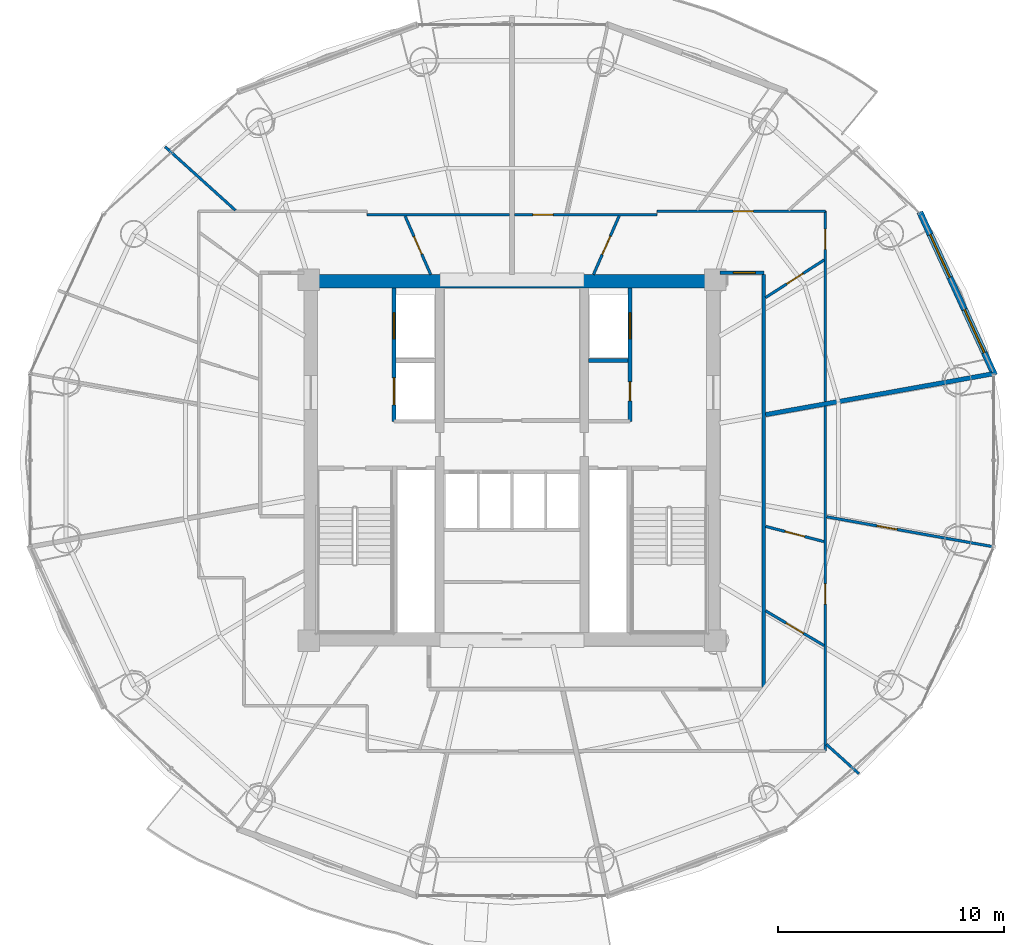
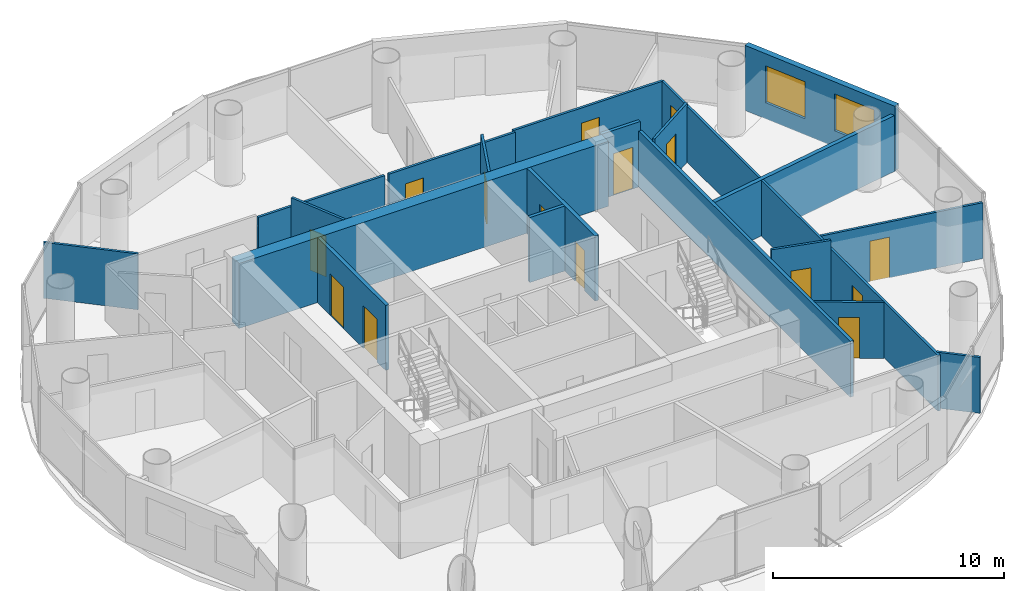
# One storey, part 22 of 27: 21 walls, 15 doors, 2 windows, 17 openings.
"""IFC4 building model written with IfcOpenShell, lengths in metres."""

from ifc_helpers import new_model, si_unit, direction, frame, frame_2d, origin, place, context, subcontext, project, spatial, rectangle, extrude, source, transform, mapped, material, layer, layer_set, type_object, element, fill, save


model = new_model("IFC4")

# Units and contexts
model_context = context("Model", 3, precision=1e-05, world=origin(), true_north=direction((-0.2419218956, 0.970295726276)))
body_context = subcontext(model_context, "Body", "Model", "MODEL_VIEW")
ifc_project = project(units=[si_unit("LENGTHUNIT", "METRE"), si_unit("AREAUNIT", "SQUARE_METRE"), si_unit("VOLUMEUNIT", "CUBIC_METRE"), si_unit("PLANEANGLEUNIT", "RADIAN"), si_unit("MASSUNIT", "GRAM", prefix="KILO")], contexts=[model_context])

# Site, building, storey
site_placement = place(None, origin())
site = spatial("IfcSite", under=ifc_project, at=site_placement, CompositionType="ELEMENT")
building_placement = place(site_placement, origin())
building = spatial("IfcBuilding", under=site, at=building_placement, Name="Cobrevalo Terracotta Tower", CompositionType="ELEMENT")
storey_placement = place(building_placement, frame((0.0, 0.0, 198.60009765625)))
storey = spatial("IfcBuildingStorey", under=building, at=storey_placement, Name="L52", CompositionType="ELEMENT", Elevation=198.60009765625)

# Walls
ifc_material_1 = material(Name="Concrete C55", Category="concrete")
ifc_layer_1 = layer(ifc_material_1, 0.60009765625)
ifc_layer_set_1 = layer_set([ifc_layer_1], Name="Concrete C55")
wall_type_1 = type_object("IfcWallType", Name="Core shear wall 600 mm Concrete C55", PredefinedType="SHEAR", material=ifc_layer_set_1)
wall_1_placement = place(storey_placement, frame((28.77490234375, 34.72509765625, 0.0), z_axis=(0.0, 0.0, 1.0), x_axis=(1.0, 0.0, 0.0)))
element("IfcWall", 1, at=wall_1_placement, inside=storey, type_object=wall_type_1, Name="L52 north core shear wall", PredefinedType="SHEAR", context=body_context, shape_type="SweptSolid", body=[
    extrude(rectangle(XDim=18.4501953125, YDim=0.60009765625, at=frame_2d((9.22509765625, 0.0))), origin(), (0.0, 0.0, 1.0), 3.434814453125),
])
ifc_material_2 = material(Name="Gypsum board on steel stud", Category="steel")
ifc_layer_2 = layer(ifc_material_2, 0.159912109375)
ifc_layer_set_2 = layer_set([ifc_layer_2], Name="Gypsum board on steel stud")
wall_type_2 = type_object("IfcWallType", Name="Fire-rated corridor acoustic partition wall 160 mm", PredefinedType="PARTITIONING", material=ifc_layer_set_2)
wall_2_placement = place(storey_placement, frame((41.389892578125, 31.219970703125, 0.0), z_axis=(0.0, 0.0, 1.0), x_axis=(1.0, 0.0, 0.0)))
element("IfcWall", 2, at=wall_2_placement, inside=storey, type_object=wall_type_2, Name="L52 interior partition IW-L52-FF2-M", PredefinedType="PARTITIONING", context=body_context, shape_type="SweptSolid", body=[
    extrude(rectangle(XDim=1.75, YDim=0.159912109375, at=frame_2d((0.875, 0.0))), origin(), (0.0, 0.0, 1.0), 3.434814453125),
])
wall_3_placement = place(storey_placement, frame((49.155029296875, 16.72509765625, 0.0), z_axis=(0.0, 0.0, 1.0), x_axis=(0.0, 1.0, 0.0)))
element("IfcWall", 3, at=wall_3_placement, inside=storey, type_object=wall_type_2, Name="L52 interior partition IW-L52-COR-E", PredefinedType="PARTITIONING", context=body_context, shape_type="SweptSolid", body=[
    extrude(rectangle(XDim=18.2998046875, YDim=0.159912109375, at=frame_2d((9.14990234375, 0.0))), origin(), (0.0, 0.0, 1.0), 2.950927734375),
])

# Wall, opening, door
wall_4_placement = place(storey_placement, frame((47.22509765625, 35.10498046875, 0.0), z_axis=(0.0, 0.0, 1.0), x_axis=(1.0, 0.0, 0.0)))
wall_4 = element("IfcWall", 4, at=wall_4_placement, inside=storey, type_object=wall_type_2, Name="L52 interior partition IW-L52-COR-EN-CAP", PredefinedType="PARTITIONING", context=body_context, shape_type="SweptSolid", body=[
    extrude(rectangle(XDim=1.929931640625, YDim=0.159912109375, at=frame_2d((0.96484375, 0.0))), origin(), (0.0, 0.0, 1.0), 3.434814453125),
])
opening_1_placement = place(wall_4_placement, frame((0.580078125, 0.0, 0.0)))
opening_1 = element("IfcOpeningElement", 5, at=opening_1_placement, cuts=wall_4, Name="Opening ID-05", PredefinedType="OPENING", context=body_context, shape_type="SweptSolid", body=[
    extrude(rectangle(XDim=0.97998046875, YDim=2.199951171875, at=frame_2d((0.489990234375, 1.10009765625))), frame((0.0, 0.08984375, 0.0), z_axis=(0.0, -1.0, 0.0), x_axis=(1.0, 0.0, 0.0)), (0.0, 0.0, 1.0), 0.179931640625),
])
ifc_material_3 = material(Name="Solid hardwood timber", Category="wood")
door_type_1 = type_object("IfcDoorType", Name="Residence entrance fire-rated acoustic timber door 980x2200 EI 60", OperationType="NOTDEFINED", PredefinedType="DOOR", material=ifc_material_3)
shared_shape_1 = source(origin(), body_context, "Body", "SweptSolid", [
    extrude(rectangle(XDim=0.97998046875, YDim=2.199951171875, at=frame_2d((0.489990234375, 1.10009765625))), frame((0.0, 0.02490234375, 0.0), z_axis=(0.0, -1.0, 0.0), x_axis=(1.0, 0.0, 0.0)), (0.0, 0.0, 1.0), 0.050048828125),
])
door_1_placement = place(opening_1_placement, origin())
door_1 = element("IfcDoor", 6, at=door_1_placement, inside=storey, type_object=door_type_1, Name="Flat L52A fire-rated apartment entrance door", OperationType="SINGLE_SWING_LEFT", OverallHeight=2.199951171875, OverallWidth=0.97998046875, PredefinedType="DOOR", context=body_context, shape_type="MappedRepresentation", body=[
    mapped(shared_shape_1, transform((0.0, 0.0, 0.0), scale=1.0)),
])
fill(opening_1, door_1)

# Wall, openings, doors
ifc_layer_3 = layer(ifc_material_2, 0.179931640625)
ifc_layer_set_3 = layer_set([ifc_layer_3], Name="Gypsum board on steel stud")
wall_type_3 = type_object("IfcWallType", Name="Fire-rated shaft & lobby acoustic partition wall 180 mm", PredefinedType="PARTITIONING", material=ifc_layer_set_3)
wall_5_placement = place(storey_placement, frame((32.77001953125, 28.52001953125, 0.0), z_axis=(0.0, 0.0, 1.0), x_axis=(0.0, 1.0, 0.0)))
wall_5 = element("IfcWall", 7, at=wall_5_placement, inside=storey, type_object=wall_type_3, Name="L52 interior partition IW-L52-FF1-W", PredefinedType="PARTITIONING", context=body_context, shape_type="SweptSolid", body=[
    extrude(rectangle(XDim=5.905029296875, YDim=0.179931640625, at=frame_2d((2.95263671875, 0.0))), origin(), (0.0, 0.0, 1.0), 3.434814453125),
])
opening_2_placement = place(wall_5_placement, frame((3.655029296875, 0.0, 0.0)))
opening_2 = element("IfcOpeningElement", 8, at=opening_2_placement, cuts=wall_5, Name="Opening LD-02", PredefinedType="OPENING", context=body_context, shape_type="SweptSolid", body=[
    extrude(rectangle(XDim=1.14990234375, YDim=2.199951171875, at=frame_2d((0.574951171875, 1.10009765625))), frame((0.0, 0.10009765625, 0.0), z_axis=(0.0, -1.0, 0.0), x_axis=(1.0, 0.0, 0.0)), (0.0, 0.0, 1.0), 0.199951171875),
])
opening_3_placement = place(wall_5_placement, frame((0.72998046875, 0.0, 0.0)))
opening_3 = element("IfcOpeningElement", 9, at=opening_3_placement, cuts=wall_5, Name="Opening LD-03", PredefinedType="OPENING", context=body_context, shape_type="SweptSolid", body=[
    extrude(rectangle(XDim=1.199951171875, YDim=2.25, at=frame_2d((0.60009765625, 1.125))), frame((0.0, 0.10009765625, 0.0), z_axis=(0.0, -1.0, 0.0), x_axis=(1.0, 0.0, 0.0)), (0.0, 0.0, 1.0), 0.199951171875),
])
ifc_material_4 = material(Name="Brushed stainless steel", Category="steel")
door_type_2 = type_object("IfcDoorType", Name="Firefighting lift landing bi-parting sliding door 1150x2200 EI 120", OperationType="DOUBLE_DOOR_SLIDING", PredefinedType="DOOR", material=ifc_material_4)
shared_shape_2 = source(origin(), body_context, "Body", "SweptSolid", [
    extrude(rectangle(XDim=1.14990234375, YDim=2.199951171875, at=frame_2d((0.574951171875, 1.10009765625))), frame((0.0, 0.02490234375, 0.0), z_axis=(0.0, -1.0, 0.0), x_axis=(1.0, 0.0, 0.0)), (0.0, 0.0, 1.0), 0.050048828125),
])
door_2_placement = place(opening_2_placement, origin())
door_2 = element("IfcDoor", 10, at=door_2_placement, inside=storey, type_object=door_type_2, Name="L52 lift landing door FF-1", OperationType="DOUBLE_DOOR_SLIDING", OverallHeight=2.199951171875, OverallWidth=1.14990234375, PredefinedType="DOOR", context=body_context, shape_type="MappedRepresentation", body=[
    mapped(shared_shape_2, transform((0.0, 0.0, 0.0), scale=1.0)),
])
fill(opening_2, door_2)
door_type_3 = type_object("IfcDoorType", Name="Service lift landing bi-parting sliding door 1200x2250 EI 120", OperationType="DOUBLE_DOOR_SLIDING", PredefinedType="DOOR", material=ifc_material_4)
shared_shape_3 = source(origin(), body_context, "Body", "SweptSolid", [
    extrude(rectangle(XDim=1.199951171875, YDim=2.25, at=frame_2d((0.60009765625, 1.125))), frame((0.0, 0.02490234375, 0.0), z_axis=(0.0, -1.0, 0.0), x_axis=(1.0, 0.0, 0.0)), (0.0, 0.0, 1.0), 0.050048828125),
])
door_3_placement = place(opening_3_placement, origin())
door_3 = element("IfcDoor", 11, at=door_3_placement, inside=storey, type_object=door_type_3, Name="L52 lift landing door SV-1", OperationType="DOUBLE_DOOR_SLIDING", OverallHeight=2.25, OverallWidth=1.199951171875, PredefinedType="DOOR", context=body_context, shape_type="MappedRepresentation", body=[
    mapped(shared_shape_3, transform((0.0, 0.0, 0.0), scale=1.0)),
])
fill(opening_3, door_3)

wall_6_placement = place(storey_placement, frame((43.22998046875, 28.52001953125, 0.0), z_axis=(0.0, 0.0, 1.0), x_axis=(0.0, 1.0, 0.0)))
wall_6 = element("IfcWall", 12, at=wall_6_placement, inside=storey, type_object=wall_type_3, Name="L52 interior partition IW-L52-FF2-E", PredefinedType="PARTITIONING", context=body_context, shape_type="SweptSolid", body=[
    extrude(rectangle(XDim=5.905029296875, YDim=0.179931640625, at=frame_2d((2.95263671875, 0.0))), origin(), (0.0, 0.0, 1.0), 3.434814453125),
])
opening_4_placement = place(wall_6_placement, frame((0.905029296875, 0.0, 0.0)))
opening_4 = element("IfcOpeningElement", 13, at=opening_4_placement, cuts=wall_6, Name="Opening ID-22", PredefinedType="OPENING", context=body_context, shape_type="SweptSolid", body=[
    extrude(rectangle(XDim=0.85009765625, YDim=2.10009765625, at=frame_2d((0.425048828125, 1.050048828125))), frame((0.0, 0.10009765625, 0.0), z_axis=(0.0, -1.0, 0.0), x_axis=(1.0, 0.0, 0.0)), (0.0, 0.0, 1.0), 0.199951171875),
])
opening_5_placement = place(wall_6_placement, frame((3.655029296875, 0.0, 0.0)))
opening_5 = element("IfcOpeningElement", 14, at=opening_5_placement, cuts=wall_6, Name="Opening LD-02", PredefinedType="OPENING", context=body_context, shape_type="SweptSolid", body=[
    extrude(rectangle(XDim=1.14990234375, YDim=2.199951171875, at=frame_2d((0.574951171875, 1.10009765625))), frame((0.0, 0.10009765625, 0.0), z_axis=(0.0, -1.0, 0.0), x_axis=(1.0, 0.0, 0.0)), (0.0, 0.0, 1.0), 0.199951171875),
])
ifc_material_5 = material(Name="Powder-coated steel", Category="steel")
door_type_4 = type_object("IfcDoorType", Name="Riser shaft & meter closet fire access door 850x2100 EI 60", OperationType="NOTDEFINED", PredefinedType="DOOR", material=ifc_material_5)
shared_shape_4 = source(origin(), body_context, "Body", "SweptSolid", [
    extrude(rectangle(XDim=0.85009765625, YDim=2.10009765625, at=frame_2d((0.425048828125, 1.050048828125))), frame((0.0, 0.02490234375, 0.0), z_axis=(0.0, -1.0, 0.0), x_axis=(1.0, 0.0, 0.0)), (0.0, 0.0, 1.0), 0.050048828125),
])
door_4_placement = place(opening_4_placement, frame((0.85009765625, 0.0, 0.0), z_axis=(0.0, 0.0, 1.0), x_axis=(-1.0, 0.0, 0.0)))
door_4 = element("IfcDoor", 15, at=door_4_placement, inside=storey, type_object=door_type_4, Name="L52 housekeeping store door", OperationType="SINGLE_SWING_RIGHT", OverallHeight=2.10009765625, OverallWidth=0.85009765625, PredefinedType="DOOR", context=body_context, shape_type="MappedRepresentation", body=[
    mapped(shared_shape_4, transform((0.0, 0.0, 0.0), scale=1.0)),
])
fill(opening_4, door_4)
door_5_placement = place(opening_5_placement, origin())
door_5 = element("IfcDoor", 16, at=door_5_placement, inside=storey, type_object=door_type_2, Name="L52 lift landing door FF-2", OperationType="DOUBLE_DOOR_SLIDING", OverallHeight=2.199951171875, OverallWidth=1.14990234375, PredefinedType="DOOR", context=body_context, shape_type="MappedRepresentation", body=[
    mapped(shared_shape_2, transform((0.0, 0.0, 0.0), scale=1.0)),
])
fill(opening_5, door_5)

# Wall
ifc_material_6 = material(Name="Autoclaved aerated concrete block", Category="concrete")
ifc_layer_4 = layer(ifc_material_6, 0.199951171875)
ifc_layer_set_4 = layer_set([ifc_layer_4], Name="Autoclaved aerated concrete block")
wall_type_4 = type_object("IfcWallType", Name="Fire-rated stair, shaft & demising masonry wall 200 mm", PredefinedType="PARTITIONING", material=ifc_layer_set_4)
wall_7_placement = place(storey_placement, frame((49.237060546875, 28.81982421875, 0.0), z_axis=(0.0, 0.0, 1.0), x_axis=(0.984224859606, 0.176922089446, 0.0)))
element("IfcWall", 17, at=wall_7_placement, inside=storey, type_object=wall_type_4, Name="L52 interior partition IW-L52-DEM-1", PredefinedType="PARTITIONING", context=body_context, shape_type="SweptSolid", body=[
    extrude(rectangle(XDim=10.200439453125, YDim=0.199951171875, at=frame_2d((5.10009765625, 0.0))), origin(), (0.0, 0.0, 1.0), 2.950927734375),
])

# Wall, openings, windows
ifc_layer_5 = layer(ifc_material_6, 0.280029296875)
ifc_layer_set_5 = layer_set([ifc_layer_5], Name="Autoclaved aerated concrete block")
wall_type_5 = type_object("IfcWallType", Name="Insulated tower spandrel & pier wall 280 mm with terracotta rainscreen", PredefinedType="SOLIDWALL", material=ifc_layer_set_5)
wall_8_placement = place(storey_placement, frame((59.385009765625, 30.564697265625, 0.0), z_axis=(0.0, 0.0, 1.0), x_axis=(-0.416717018135, 0.909036262641, 0.0)))
wall_8 = element("IfcWall", 18, at=wall_8_placement, inside=storey, type_object=wall_type_5, Name="L52 terracotta rainscreen pier wall S01", PredefinedType="SOLIDWALL", context=body_context, shape_type="SweptSolid", body=[
    extrude(rectangle(XDim=7.960205078125, YDim=0.280029296875, at=frame_2d((3.97998046875, 0.0))), origin(), (0.0, 0.0, 1.0), 3.434814453125),
])
opening_6_placement = place(wall_8_placement, frame((1.099365234375, 0.0, 0.85009765625)))
opening_6 = element("IfcOpeningElement", 19, at=opening_6_placement, cuts=wall_8, Name="Opening WN-10", PredefinedType="OPENING", context=body_context, shape_type="SweptSolid", body=[
    extrude(rectangle(XDim=2.10009765625, YDim=1.949951171875, at=frame_2d((1.050048828125, 0.97509765625))), frame((0.0, 0.14990234375, 0.0), z_axis=(0.0, -1.0, 0.0), x_axis=(1.0, 0.0, 0.0)), (0.0, 0.0, 1.0), 0.300048828125),
])
opening_7_placement = place(wall_8_placement, frame((4.760986328125, 0.0, 0.85009765625)))
opening_7 = element("IfcOpeningElement", 20, at=opening_7_placement, cuts=wall_8, Name="Opening WN-10", PredefinedType="OPENING", context=body_context, shape_type="SweptSolid", body=[
    extrude(rectangle(XDim=2.10009765625, YDim=1.949951171875, at=frame_2d((1.050048828125, 0.97509765625))), frame((0.0, 0.14990234375, 0.0), z_axis=(0.0, -1.0, 0.0), x_axis=(1.0, 0.0, 0.0)), (0.0, 0.0, 1.0), 0.300048828125),
])
ifc_material_7 = material(Name="Solar-control low-E double glazing", Category="glass")
window_type = type_object("IfcWindowType", Name="Wide panoramic low-E aluminium window 2100x1950", PartitioningType="SINGLE_PANEL", PredefinedType="WINDOW", material=ifc_material_7)
shared_shape_5 = source(origin(), body_context, "Body", "SweptSolid", [
    extrude(rectangle(XDim=2.10009765625, YDim=1.949951171875, at=frame_2d((1.050048828125, 0.97509765625))), frame((0.0, 0.030029296875, 0.0), z_axis=(0.0, -1.0, 0.0), x_axis=(1.0, 0.0, 0.0)), (0.0, 0.0, 1.0), 0.06005859375),
])
window_1_placement = place(opening_6_placement, origin())
window_1 = element("IfcWindow", 21, at=window_1_placement, inside=storey, type_object=window_type, Name="L52 suite window S01A", OverallHeight=1.949951171875, OverallWidth=2.10009765625, PartitioningType="SINGLE_PANEL", PredefinedType="WINDOW", context=body_context, shape_type="MappedRepresentation", body=[
    mapped(shared_shape_5, transform((0.0, 0.0, 0.0), scale=1.0)),
])
fill(opening_6, window_1)
window_2_placement = place(opening_7_placement, origin())
window_2 = element("IfcWindow", 22, at=window_2_placement, inside=storey, type_object=window_type, Name="L52 suite window S01B", OverallHeight=1.949951171875, OverallWidth=2.10009765625, PartitioningType="SINGLE_PANEL", PredefinedType="WINDOW", context=body_context, shape_type="MappedRepresentation", body=[
    mapped(shared_shape_5, transform((0.0, 0.0, 0.0), scale=1.0)),
])
fill(opening_7, window_2)

# Wall, opening, door
ifc_layer_6 = layer(ifc_material_2, 0.1201171875)
ifc_layer_set_6 = layer_set([ifc_layer_6], Name="Gypsum board on steel stud")
wall_type_6 = type_object("IfcWallType", Name="Residential internal acoustic stud partition 120 mm", PredefinedType="PARTITIONING", material=ifc_layer_set_6)
wall_9_placement = place(storey_placement, frame((38.10205078125, 37.675048828125, 0.0), z_axis=(0.0, 0.0, 1.0), x_axis=(1.0, 0.0, 0.0)))
wall_9 = element("IfcWall", 23, at=wall_9_placement, inside=storey, type_object=wall_type_6, Name="L52 interior partition IW-L52-U1-RING0_0", PredefinedType="PARTITIONING", context=body_context, shape_type="SweptSolid", body=[
    extrude(rectangle(XDim=6.31298828125, YDim=0.1201171875, at=frame_2d((3.156494140625, 0.0))), origin(), (0.0, 0.0, 1.0), 2.950927734375),
])
opening_8_placement = place(wall_9_placement, frame((0.81884765625, 0.0, 0.0)))
opening_8 = element("IfcOpeningElement", 24, at=opening_8_placement, cuts=wall_9, Name="Opening ID-12", PredefinedType="OPENING", context=body_context, shape_type="SweptSolid", body=[
    extrude(rectangle(XDim=0.89990234375, YDim=2.14990234375, at=frame_2d((0.449951171875, 1.074951171875))), frame((0.0, 0.070068359375, 0.0), z_axis=(0.0, -1.0, 0.0), x_axis=(1.0, 0.0, 0.0)), (0.0, 0.0, 1.0), 0.14013671875),
])
ifc_material_8 = material(Name="Engineered timber", Category="wood")
door_type_5 = type_object("IfcDoorType", Name="Internal residence & suite timber door 900x2150", OperationType="NOTDEFINED", PredefinedType="DOOR", material=ifc_material_8)
shared_shape_6 = source(origin(), body_context, "Body", "SweptSolid", [
    extrude(rectangle(XDim=0.89990234375, YDim=2.14990234375, at=frame_2d((0.449951171875, 1.074951171875))), frame((0.0, 0.02490234375, 0.0), z_axis=(0.0, -1.0, 0.0), x_axis=(1.0, 0.0, 0.0)), (0.0, 0.0, 1.0), 0.050048828125),
])
door_6_placement = place(opening_8_placement, origin())
door_6 = element("IfcDoor", 25, at=door_6_placement, inside=storey, type_object=door_type_5, Name="Flat L52A Penthouse Family Lounge internal door", OperationType="SINGLE_SWING_LEFT", OverallHeight=2.14990234375, OverallWidth=0.89990234375, PredefinedType="DOOR", context=body_context, shape_type="MappedRepresentation", body=[
    mapped(shared_shape_6, transform((0.0, 0.0, 0.0), scale=1.0)),
])
fill(opening_8, door_6)

wall_10_placement = place(storey_placement, frame((44.4150390625, 37.8349609375, 0.0), z_axis=(0.0, 0.0, 1.0), x_axis=(1.0, 0.0, 0.0)))
wall_10 = element("IfcWall", 26, at=wall_10_placement, inside=storey, type_object=wall_type_6, Name="L52 interior partition IW-L52-U1-RING2_0", PredefinedType="PARTITIONING", context=body_context, shape_type="SweptSolid", body=[
    extrude(rectangle(XDim=7.469970703125, YDim=0.1201171875, at=frame_2d((3.73486328125, 0.0))), origin(), (0.0, 0.0, 1.0), 2.950927734375),
])
opening_9_placement = place(wall_10_placement, frame((3.37939453125, 0.0, 0.0)))
opening_9 = element("IfcOpeningElement", 27, at=opening_9_placement, cuts=wall_10, Name="Opening ID-12", PredefinedType="OPENING", context=body_context, shape_type="SweptSolid", body=[
    extrude(rectangle(XDim=0.89990234375, YDim=2.14990234375, at=frame_2d((0.449951171875, 1.074951171875))), frame((0.0, 0.070068359375, 0.0), z_axis=(0.0, -1.0, 0.0), x_axis=(1.0, 0.0, 0.0)), (0.0, 0.0, 1.0), 0.14013671875),
])
door_7_placement = place(opening_9_placement, origin())
door_7 = element("IfcDoor", 28, at=door_7_placement, inside=storey, type_object=door_type_5, Name="Flat L52A Master Bedroom internal door", OperationType="SINGLE_SWING_RIGHT", OverallHeight=2.14990234375, OverallWidth=0.89990234375, PredefinedType="DOOR", context=body_context, shape_type="MappedRepresentation", body=[
    mapped(shared_shape_6, transform((0.0, 0.0, 0.0), scale=1.0)),
])
fill(opening_9, door_7)

wall_11_placement = place(storey_placement, frame((51.885009765625, 37.8349609375, 0.0), z_axis=(0.0, 0.0, 1.0), x_axis=(0.0, -1.0, 0.0)))
wall_11 = element("IfcWall", 29, at=wall_11_placement, inside=storey, type_object=wall_type_6, Name="L52 interior partition IW-L52-U1-RING3_0", PredefinedType="PARTITIONING", context=body_context, shape_type="SweptSolid", body=[
    extrude(rectangle(XDim=8.43701171875, YDim=0.1201171875, at=frame_2d((4.218505859375, 0.0))), origin(), (0.0, 0.0, 1.0), 2.950927734375),
])
opening_10_placement = place(wall_11_placement, frame((0.7958984375, 0.0, 0.0)))
opening_10 = element("IfcOpeningElement", 30, at=opening_10_placement, cuts=wall_11, Name="Opening ID-12", PredefinedType="OPENING", context=body_context, shape_type="SweptSolid", body=[
    extrude(rectangle(XDim=0.89990234375, YDim=2.14990234375, at=frame_2d((0.449951171875, 1.074951171875))), frame((0.0, 0.070068359375, 0.0), z_axis=(0.0, -1.0, 0.0), x_axis=(1.0, 0.0, 0.0)), (0.0, 0.0, 1.0), 0.14013671875),
])
door_8_placement = place(opening_10_placement, origin())
door_8 = element("IfcDoor", 31, at=door_8_placement, inside=storey, type_object=door_type_5, Name="Flat L52A Living and Dining Room internal door", OperationType="SINGLE_SWING_LEFT", OverallHeight=2.14990234375, OverallWidth=0.89990234375, PredefinedType="DOOR", context=body_context, shape_type="MappedRepresentation", body=[
    mapped(shared_shape_6, transform((0.0, 0.0, 0.0), scale=1.0)),
])
fill(opening_10, door_8)

wall_12_placement = place(storey_placement, frame((49.236572265625, 34.00927734375, 0.0), z_axis=(0.0, 0.0, 1.0), x_axis=(0.841651322174, 0.540021343915, 0.0)))
wall_12 = element("IfcWall", 32, at=wall_12_placement, inside=storey, type_object=wall_type_6, Name="L52 interior partition IW-L52-U1-IRAD1", PredefinedType="PARTITIONING", context=body_context, shape_type="SweptSolid", body=[
    extrude(rectangle(XDim=3.084716796875, YDim=0.1201171875, at=frame_2d((1.54248046875, 0.0))), origin(), (0.0, 0.0, 1.0), 3.10986328125),
])
opening_11_placement = place(wall_12_placement, frame((1.1123046875, 0.0, 0.0)))
opening_11 = element("IfcOpeningElement", 33, at=opening_11_placement, cuts=wall_12, Name="Opening ID-19", PredefinedType="OPENING", context=body_context, shape_type="SweptSolid", body=[
    extrude(rectangle(XDim=0.860107421875, YDim=2.14990234375, at=frame_2d((0.43017578125, 1.074951171875))), frame((0.0, 0.070068359375, 0.0), z_axis=(0.0, -1.0, 0.0), x_axis=(1.0, 0.0, 0.0)), (0.0, 0.0, 1.0), 0.14013671875),
])
ifc_material_9 = material(Name="Moisture-sealed timber", Category="wood")
door_type_6 = type_object("IfcDoorType", Name="Suite bathroom internal timber door 860x2150", OperationType="NOTDEFINED", PredefinedType="DOOR", material=ifc_material_9)
shared_shape_7 = source(origin(), body_context, "Body", "SweptSolid", [
    extrude(rectangle(XDim=0.860107421875, YDim=2.14990234375, at=frame_2d((0.43017578125, 1.074951171875))), frame((0.0, 0.02490234375, 0.0), z_axis=(0.0, -1.0, 0.0), x_axis=(1.0, 0.0, 0.0)), (0.0, 0.0, 1.0), 0.050048828125),
])
door_9_placement = place(opening_11_placement, frame((0.860107421875, 0.0, 0.0), z_axis=(0.0, 0.0, 1.0), x_axis=(-1.0, 0.0, 0.0)))
door_9 = element("IfcDoor", 34, at=door_9_placement, inside=storey, type_object=door_type_6, Name="Flat L52A Primary Bathroom internal door", OperationType="SINGLE_SWING_RIGHT", OverallHeight=2.14990234375, OverallWidth=0.860107421875, PredefinedType="DOOR", context=body_context, shape_type="MappedRepresentation", body=[
    mapped(shared_shape_7, transform((0.0, 0.0, 0.0), scale=1.0)),
])
fill(opening_11, door_9)

wall_13_placement = place(storey_placement, frame((41.609619140625, 35.02685546875, 0.0), z_axis=(0.0, 0.0, 1.0), x_axis=(0.401859508224, 0.915701335398, 0.0)))
wall_13 = element("IfcWall", 35, at=wall_13_placement, inside=storey, type_object=wall_type_6, Name="L52 interior partition IW-L52-U1-IRAD2", PredefinedType="PARTITIONING", context=body_context, shape_type="SweptSolid", body=[
    extrude(rectangle(XDim=2.829833984375, YDim=0.1201171875, at=frame_2d((1.4150390625, 0.0))), origin(), (0.0, 0.0, 1.0), 3.434814453125),
])
opening_12_placement = place(wall_13_placement, frame((0.96484375, 0.0, 0.0)))
opening_12 = element("IfcOpeningElement", 36, at=opening_12_placement, cuts=wall_13, Name="Opening ID-12", PredefinedType="OPENING", context=body_context, shape_type="SweptSolid", body=[
    extrude(rectangle(XDim=0.89990234375, YDim=2.14990234375, at=frame_2d((0.449951171875, 1.074951171875))), frame((0.0, 0.070068359375, 0.0), z_axis=(0.0, -1.0, 0.0), x_axis=(1.0, 0.0, 0.0)), (0.0, 0.0, 1.0), 0.14013671875),
])
door_10_placement = place(opening_12_placement, origin())
door_10 = element("IfcDoor", 37, at=door_10_placement, inside=storey, type_object=door_type_5, Name="Flat L52A Kitchen internal door", OperationType="SINGLE_SWING_RIGHT", OverallHeight=2.14990234375, OverallWidth=0.89990234375, PredefinedType="DOOR", context=body_context, shape_type="MappedRepresentation", body=[
    mapped(shared_shape_6, transform((0.0, 0.0, 0.0), scale=1.0)),
])
fill(opening_12, door_10)

# Walls
wall_14_placement = place(storey_placement, frame((31.5849609375, 37.675048828125, 0.0), z_axis=(0.0, 0.0, 1.0), x_axis=(1.0, 0.0, 0.0)))
element("IfcWall", 38, at=wall_14_placement, inside=storey, type_object=wall_type_6, Name="L52 interior partition IW-L52-U2-RING3_0", PredefinedType="PARTITIONING", context=body_context, shape_type="SweptSolid", body=[
    extrude(rectangle(XDim=6.31298828125, YDim=0.1201171875, at=frame_2d((3.156494140625, 0.0))), origin(), (0.0, 0.0, 1.0), 2.950927734375),
])
wall_15_placement = place(storey_placement, frame((25.74267578125, 37.87646484375, 0.0), z_axis=(0.0, 0.0, 1.0), x_axis=(-0.741943837234, 0.670462036502, 0.0)))
element("IfcWall", 39, at=wall_15_placement, inside=storey, type_object=wall_type_6, Name="L52 interior partition IW-L52-U2-ORAD1", PredefinedType="PARTITIONING", context=body_context, shape_type="SweptSolid", body=[
    extrude(rectangle(XDim=4.194091796875, YDim=0.1201171875, at=frame_2d((2.09716796875, 0.0))), origin(), (0.0, 0.0, 1.0), 2.950927734375),
])

# Wall, opening, door
wall_16_placement = place(storey_placement, frame((34.3974609375, 35.02685546875, 0.0), z_axis=(0.0, 0.0, 1.0), x_axis=(-0.401135725485, 0.916018629581, 0.0)))
wall_16 = element("IfcWall", 40, at=wall_16_placement, inside=storey, type_object=wall_type_6, Name="L52 interior partition IW-L52-U2-IRAD1", PredefinedType="PARTITIONING", context=body_context, shape_type="SweptSolid", body=[
    extrude(rectangle(XDim=2.828857421875, YDim=0.1201171875, at=frame_2d((1.41455078125, 0.0))), origin(), (0.0, 0.0, 1.0), 3.434814453125),
])
opening_13_placement = place(wall_16_placement, frame((0.984619140625, 0.0, 0.0)))
opening_13 = element("IfcOpeningElement", 41, at=opening_13_placement, cuts=wall_16, Name="Opening ID-19", PredefinedType="OPENING", context=body_context, shape_type="SweptSolid", body=[
    extrude(rectangle(XDim=0.860107421875, YDim=2.14990234375, at=frame_2d((0.43017578125, 1.074951171875))), frame((0.0, 0.070068359375, 0.0), z_axis=(0.0, -1.0, 0.0), x_axis=(1.0, 0.0, 0.0)), (0.0, 0.0, 1.0), 0.14013671875),
])
door_11_placement = place(opening_13_placement, frame((0.860107421875, 0.0, 0.0), z_axis=(0.0, 0.0, 1.0), x_axis=(-1.0, 0.0, 0.0)))
door_11 = element("IfcDoor", 42, at=door_11_placement, inside=storey, type_object=door_type_6, Name="Flat L52B Primary Bathroom internal door", OperationType="SINGLE_SWING_LEFT", OverallHeight=2.14990234375, OverallWidth=0.860107421875, PredefinedType="DOOR", context=body_context, shape_type="MappedRepresentation", body=[
    mapped(shared_shape_7, transform((0.0, 0.0, 0.0), scale=1.0)),
])
fill(opening_13, door_11)

wall_17_placement = place(storey_placement, frame((51.885009765625, 29.19384765625, 0.0), z_axis=(0.0, 0.0, 1.0), x_axis=(0.0, -1.0, 0.0)))
wall_17 = element("IfcWall", 43, at=wall_17_placement, inside=storey, type_object=wall_type_6, Name="L52 interior partition IW-L52-U4-RING0_0", PredefinedType="PARTITIONING", context=body_context, shape_type="SweptSolid", body=[
    extrude(rectangle(XDim=15.27880859375, YDim=0.1201171875, at=frame_2d((7.639404296875, 0.0))), origin(), (0.0, 0.0, 1.0), 2.950927734375),
])
opening_14_placement = place(wall_17_placement, frame((7.873291015625, 0.0, 0.0)))
opening_14 = element("IfcOpeningElement", 44, at=opening_14_placement, cuts=wall_17, Name="Opening ID-12", PredefinedType="OPENING", context=body_context, shape_type="SweptSolid", body=[
    extrude(rectangle(XDim=0.89990234375, YDim=2.14990234375, at=frame_2d((0.449951171875, 1.074951171875))), frame((0.0, 0.070068359375, 0.0), z_axis=(0.0, -1.0, 0.0), x_axis=(1.0, 0.0, 0.0)), (0.0, 0.0, 1.0), 0.14013671875),
])
door_12_placement = place(opening_14_placement, origin())
door_12 = element("IfcDoor", 45, at=door_12_placement, inside=storey, type_object=door_type_5, Name="Flat L52D Master Bedroom internal door", OperationType="SINGLE_SWING_RIGHT", OverallHeight=2.14990234375, OverallWidth=0.89990234375, PredefinedType="DOOR", context=body_context, shape_type="MappedRepresentation", body=[
    mapped(shared_shape_6, transform((0.0, 0.0, 0.0), scale=1.0)),
])
fill(opening_14, door_12)

# Wall
wall_18_placement = place(storey_placement, frame((51.930908203125, 14.2109375, 0.0), z_axis=(0.0, 0.0, 1.0), x_axis=(0.741971265209, -0.670431683026, 0.0)))
element("IfcWall", 46, at=wall_18_placement, inside=storey, type_object=wall_type_6, Name="L52 interior partition IW-L52-U4-ORAD1", PredefinedType="PARTITIONING", context=body_context, shape_type="SweptSolid", body=[
    extrude(rectangle(XDim=1.9384765625, YDim=0.1201171875, at=frame_2d((0.96923828125, 0.0))), origin(), (0.0, 0.0, 1.0), 2.950927734375),
])

# Wall, opening, door
wall_19_placement = place(storey_placement, frame((51.946044921875, 24.293212890625, 0.0), z_axis=(0.0, 0.0, 1.0), x_axis=(0.984227185588, -0.176909149424, 0.0)))
wall_19 = element("IfcWall", 47, at=wall_19_placement, inside=storey, type_object=wall_type_6, Name="L52 interior partition IW-L52-U4-ORAD2", PredefinedType="PARTITIONING", context=body_context, shape_type="SweptSolid", body=[
    extrude(rectangle(XDim=7.447998046875, YDim=0.1201171875, at=frame_2d((3.72412109375, 0.0))), origin(), (0.0, 0.0, 1.0), 2.950927734375),
])
opening_15_placement = place(wall_19_placement, frame((2.263916015625, 0.0, 0.0)))
opening_15 = element("IfcOpeningElement", 48, at=opening_15_placement, cuts=wall_19, Name="Opening ID-12", PredefinedType="OPENING", context=body_context, shape_type="SweptSolid", body=[
    extrude(rectangle(XDim=0.89990234375, YDim=2.14990234375, at=frame_2d((0.449951171875, 1.074951171875))), frame((0.0, 0.070068359375, 0.0), z_axis=(0.0, -1.0, 0.0), x_axis=(1.0, 0.0, 0.0)), (0.0, 0.0, 1.0), 0.14013671875),
])
door_13_placement = place(opening_15_placement, origin())
door_13 = element("IfcDoor", 49, at=door_13_placement, inside=storey, type_object=door_type_5, Name="Flat L52D Principal Guest Bedroom internal door", OperationType="SINGLE_SWING_LEFT", OverallHeight=2.14990234375, OverallWidth=0.89990234375, PredefinedType="DOOR", context=body_context, shape_type="MappedRepresentation", body=[
    mapped(shared_shape_6, transform((0.0, 0.0, 0.0), scale=1.0)),
])
fill(opening_15, door_13)

wall_20_placement = place(storey_placement, frame((49.23681640625, 20.127685546875, 0.0), z_axis=(0.0, 0.0, 1.0), x_axis=(0.859818120481, -0.510600430565, 0.0)))
wall_20 = element("IfcWall", 50, at=wall_20_placement, inside=storey, type_object=wall_type_6, Name="L52 interior partition IW-L52-U4-IRAD2", PredefinedType="PARTITIONING", context=body_context, shape_type="SweptSolid", body=[
    extrude(rectangle(XDim=3.01806640625, YDim=0.1201171875, at=frame_2d((1.509033203125, 0.0))), origin(), (0.0, 0.0, 1.0), 2.950927734375),
])
opening_16_placement = place(wall_20_placement, frame((1.05908203125, 0.0, 0.0)))
opening_16 = element("IfcOpeningElement", 51, at=opening_16_placement, cuts=wall_20, Name="Opening ID-12", PredefinedType="OPENING", context=body_context, shape_type="SweptSolid", body=[
    extrude(rectangle(XDim=0.89990234375, YDim=2.14990234375, at=frame_2d((0.449951171875, 1.074951171875))), frame((0.0, 0.070068359375, 0.0), z_axis=(0.0, -1.0, 0.0), x_axis=(1.0, 0.0, 0.0)), (0.0, 0.0, 1.0), 0.14013671875),
])
door_14_placement = place(opening_16_placement, origin())
door_14 = element("IfcDoor", 52, at=door_14_placement, inside=storey, type_object=door_type_5, Name="Flat L52D Kitchen internal door", OperationType="SINGLE_SWING_RIGHT", OverallHeight=2.14990234375, OverallWidth=0.89990234375, PredefinedType="DOOR", context=body_context, shape_type="MappedRepresentation", body=[
    mapped(shared_shape_6, transform((0.0, 0.0, 0.0), scale=1.0)),
])
fill(opening_16, door_14)

wall_21_placement = place(storey_placement, frame((49.237060546875, 23.868408203125, 0.0), z_axis=(0.0, 0.0, 1.0), x_axis=(0.967622119215, -0.252403316946, 0.0)))
wall_21 = element("IfcWall", 53, at=wall_21_placement, inside=storey, type_object=wall_type_6, Name="L52 interior partition IW-L52-U4-IRAD3", PredefinedType="PARTITIONING", context=body_context, shape_type="SweptSolid", body=[
    extrude(rectangle(XDim=2.674560546875, YDim=0.1201171875, at=frame_2d((1.33740234375, 0.0))), origin(), (0.0, 0.0, 1.0), 3.434814453125),
])
opening_17_placement = place(wall_21_placement, frame((0.88720703125, 0.0, 0.0)))
opening_17 = element("IfcOpeningElement", 54, at=opening_17_placement, cuts=wall_21, Name="Opening ID-12", PredefinedType="OPENING", context=body_context, shape_type="SweptSolid", body=[
    extrude(rectangle(XDim=0.89990234375, YDim=2.14990234375, at=frame_2d((0.449951171875, 1.074951171875))), frame((0.0, 0.070068359375, 0.0), z_axis=(0.0, -1.0, 0.0), x_axis=(1.0, 0.0, 0.0)), (0.0, 0.0, 1.0), 0.14013671875),
])
door_15_placement = place(opening_17_placement, origin())
door_15 = element("IfcDoor", 55, at=door_15_placement, inside=storey, type_object=door_type_5, Name="Flat L52D Home Office Study internal door", OperationType="SINGLE_SWING_LEFT", OverallHeight=2.14990234375, OverallWidth=0.89990234375, PredefinedType="DOOR", context=body_context, shape_type="MappedRepresentation", body=[
    mapped(shared_shape_6, transform((0.0, 0.0, 0.0), scale=1.0)),
])
fill(opening_17, door_15)

save(model, "model.ifc")
